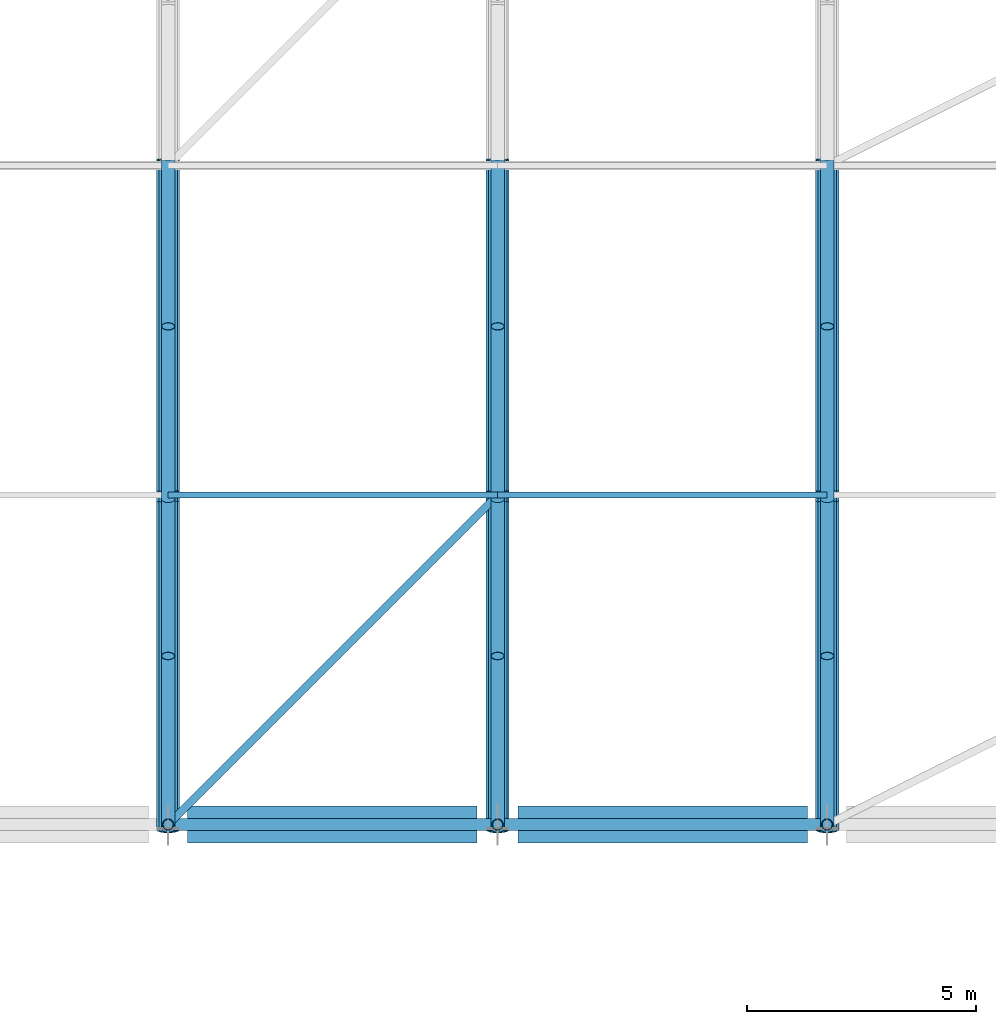
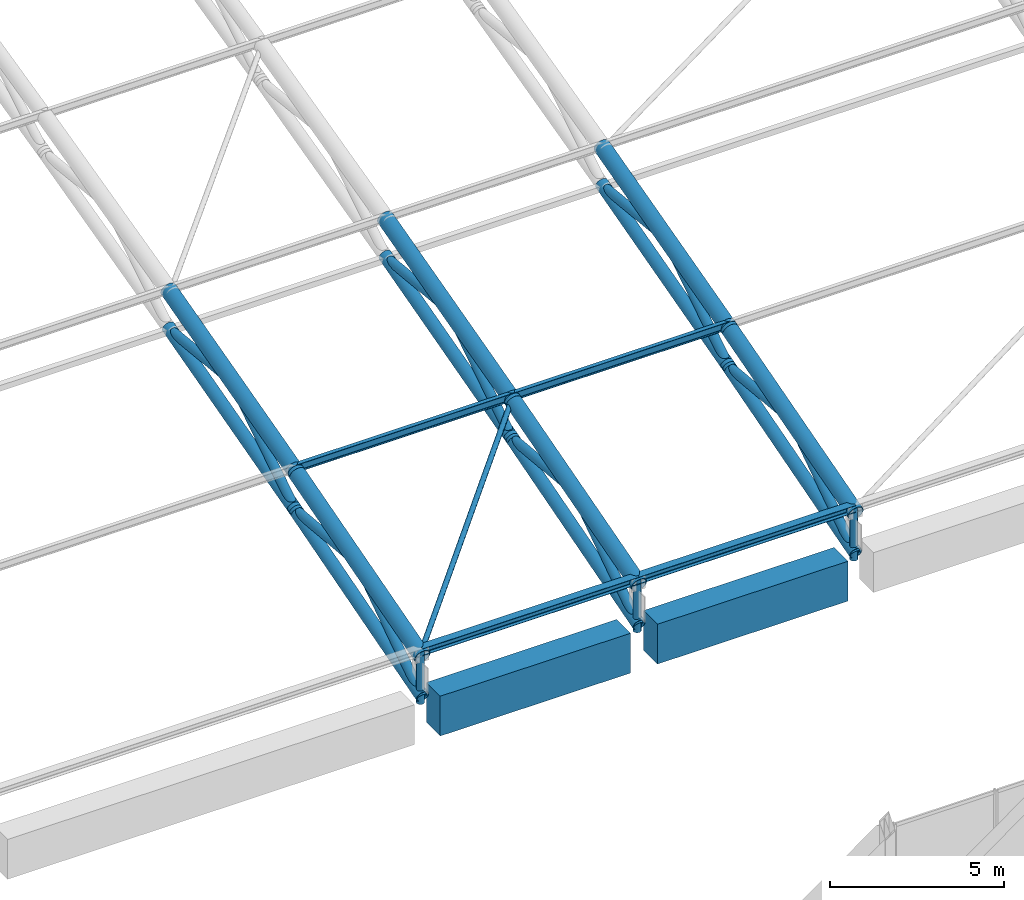
# One storey, part 33 of 193: 32 members, 2 beams.
"""IFC4 building model written with IfcOpenShell, lengths in metres."""

from ifc_helpers import new_model, si_unit, direction, frame, origin, origin_2d, place, context, subcontext, project, spatial, rectangle, hollow_circle, i_section, extrude, material, material_profile, profile_set, type_object, element, save


model = new_model("IFC4")

# Units and contexts
model_context = context("Model", 3, precision=1e-05, world=origin(), true_north=direction((0.0, 1.0)))
body_context = subcontext(model_context, "Body", "Model", "MODEL_VIEW")
ifc_project = project(units=[si_unit("LENGTHUNIT", "METRE"), si_unit("AREAUNIT", "SQUARE_METRE"), si_unit("VOLUMEUNIT", "CUBIC_METRE"), si_unit("PLANEANGLEUNIT", "RADIAN"), si_unit("MASSUNIT", "GRAM", prefix="KILO")], contexts=[model_context])

# Site, building, storey
site_placement = place(None, origin())
site = spatial("IfcSite", under=ifc_project, at=site_placement, CompositionType="ELEMENT")
building_placement = place(site_placement, origin())
building = spatial("IfcBuilding", under=site, at=building_placement, Name="Cendralis Lancet Convention Centre", CompositionType="ELEMENT")
storey_placement = place(building_placement, frame((0.0, 0.0, 10.199951171875)))
storey = spatial("IfcBuildingStorey", under=building, at=storey_placement, Name="L02", CompositionType="ELEMENT", Elevation=10.199951171875)

# Beams
ifc_material_1 = material(Name="Concrete G40 (C40/50)", Category="concrete")
ifc_material_profile_1 = material_profile(ifc_material_1, rectangle(XDim=0.800048828125, YDim=1.39990234375, at=origin_2d()), Name="RCB 800x1400")
ifc_profile_set_1 = profile_set([ifc_material_profile_1], Name="Concrete G40 (C40/50)")
beam_type = type_object("IfcBeamType", Name="STR-BM-BG17", PredefinedType="BEAM", material=ifc_profile_set_1)
for number, where, z_axis, x_axis, name in (
    (1, (65.22509765625, 50.39990234375, 1.5), (1.0, 0.0, 0.0), (0.0, 1.0, 0.0), "L02 Beam BG17 #1316"),
    (2, (72.449951171875, 50.39990234375, 1.5), (1.0, 0.0, 0.0), (0.0, 1.0, 0.0), "L02 Beam BG17 #1317"),
):
    element("IfcBeam", number, at=place(storey_placement, frame(where, z_axis=z_axis, x_axis=x_axis)), inside=storey, type_object=beam_type, Name=name, PredefinedType="BEAM", context=body_context, shape_type="SweptSolid", body=[
        extrude(rectangle(XDim=0.800048828125, YDim=1.39990234375, at=origin_2d()), origin(), (0.0, 0.0, 1.0), 6.324951171875),
    ])

# Members
ifc_material_2 = material(Name="Steel S355", Category="steel")
ifc_material_profile_2 = material_profile(ifc_material_2, hollow_circle(Radius=0.084228515625, WallThickness=0.008056640625, at=origin_2d()), Name="CHS 168.3x8.0")
ifc_profile_set_2 = profile_set([ifc_material_profile_2], Name="Steel S355")
member_type_1 = type_object("IfcMemberType", Name="STR-BR-RB01", PredefinedType="BRACE", material=ifc_profile_set_2)
member_1_placement = place(storey_placement, frame((64.800048828125, 50.39990234375, 3.60009765625), z_axis=(0.69309844049, 0.693121942522, 0.197981121789), x_axis=(-0.7071187694, 0.70709479277, 0.0)))
element("IfcMember", 3, at=member_1_placement, inside=storey, type_object=member_type_1, Name="Roof Diaphragm Brace RB01 V1-07-00A", PredefinedType="BRACE", context=body_context, shape_type="SweptSolid", body=[
    extrude(hollow_circle(Radius=0.084228515625, WallThickness=0.008056640625, at=origin_2d()), origin(), (0.0, 0.0, 1.0), 10.38818359375),
])
ifc_material_profile_3 = material_profile(ifc_material_2, i_section(OverallWidth=0.135009765625, OverallDepth=0.27001953125, WebThickness=0.006591796875, FlangeThickness=0.01025390625, FilletRadius=0.014892578125, at=origin_2d()), Name="IPE 270")
ifc_profile_set_3 = profile_set([ifc_material_profile_3], Name="Steel S355")
member_type_2 = type_object("IfcMemberType", Name="STR-PR-PR01", PredefinedType="PURLIN", material=ifc_profile_set_3)
for number, where, z_axis, x_axis, name in (
    (4, (64.800048828125, 57.60009765625, 5.771728515625), (1.0, 0.0, 0.0), (0.0, 1.0, 0.0), "Vault Roof Purlin PR01 V1-07-01"),
    (5, (72.0, 57.60009765625, 5.771728515625), (1.0, 0.0, 0.0), (0.0, 1.0, 0.0), "Vault Roof Purlin PR01 V1-08-01"),
):
    element("IfcMember", number, at=place(storey_placement, frame(where, z_axis=z_axis, x_axis=x_axis)), inside=storey, type_object=member_type_2, Name=name, PredefinedType="PURLIN", context=body_context, shape_type="SweptSolid", body=[
        extrude(i_section(OverallWidth=0.135009765625, OverallDepth=0.27001953125, WebThickness=0.006591796875, FlangeThickness=0.01025390625, FilletRadius=0.014892578125, at=origin_2d()), origin(), (0.0, 0.0, 1.0), 7.199951171875),
    ])
ifc_material_profile_4 = material_profile(ifc_material_2, i_section(OverallWidth=0.260009765625, OverallDepth=0.25, WebThickness=0.007568359375, FlangeThickness=0.012451171875, FilletRadius=0.02392578125, at=origin_2d()), Name="HEA 260")
ifc_profile_set_4 = profile_set([ifc_material_profile_4], Name="Steel S355")
member_type_3 = type_object("IfcMemberType", Name="STR-PR-PR07", PredefinedType="PURLIN", material=ifc_profile_set_4)
for number, where, z_axis, x_axis, name in (
    (6, (64.800048828125, 50.39990234375, 3.72509765625), (1.0, 0.0, 0.0), (0.0, 1.0, 0.0), "Vault Roof Purlin PR07 V1-07-00"),
    (7, (72.0, 50.39990234375, 3.72509765625), (1.0, 0.0, 0.0), (0.0, 1.0, 0.0), "Vault Roof Purlin PR07 V1-08-00"),
):
    element("IfcMember", number, at=place(storey_placement, frame(where, z_axis=z_axis, x_axis=x_axis)), inside=storey, type_object=member_type_3, Name=name, PredefinedType="PURLIN", context=body_context, shape_type="SweptSolid", body=[
        extrude(i_section(OverallWidth=0.260009765625, OverallDepth=0.25, WebThickness=0.007568359375, FlangeThickness=0.012451171875, FilletRadius=0.02392578125, at=origin_2d()), origin(), (0.0, 0.0, 1.0), 7.199951171875),
    ])
ifc_material_profile_5 = material_profile(ifc_material_2, hollow_circle(Radius=0.203125, WallThickness=0.01611328125, at=origin_2d()), Name="CHS 406.4x16.0")
ifc_profile_set_5 = profile_set([ifc_material_profile_5], Name="Steel S355")
member_type_4 = type_object("IfcMemberType", Name="STR-TR-BC01-INT", PredefinedType="CHORD", material=ifc_profile_set_5)
member_2_placement = place(storey_placement, frame((64.800048828125, 50.284912109375, 2.16650390625), z_axis=(0.0, 0.960208219649, 0.279285114028), x_axis=(-1.0, 0.0, 0.0)))
element("IfcMember", 8, at=member_2_placement, inside=storey, type_object=member_type_4, Name="ROOF TRUSS AT-V1-08 Bottom Chord 00", PredefinedType="CHORD", context=body_context, shape_type="SweptSolid", body=[
    extrude(hollow_circle(Radius=0.203125, WallThickness=0.01611328125, at=origin_2d()), origin(), (0.0, 0.0, 1.0), 7.738037109375),
])
member_3_placement = place(storey_placement, frame((64.800048828125, 57.484130859375, 4.262451171875), z_axis=(0.0, 0.964987331955, 0.262296490953), x_axis=(-1.0, 0.0, 0.0)))
element("IfcMember", 9, at=member_3_placement, inside=storey, type_object=member_type_4, Name="ROOF TRUSS AT-V1-08 Bottom Chord 01", PredefinedType="CHORD", context=body_context, shape_type="SweptSolid", body=[
    extrude(hollow_circle(Radius=0.203125, WallThickness=0.01611328125, at=origin_2d()), origin(), (0.0, 0.0, 1.0), 7.701171875),
])
member_4_placement = place(storey_placement, frame((72.0, 50.284912109375, 2.16650390625), z_axis=(0.0, 0.960208219649, 0.279285114028), x_axis=(-1.0, 0.0, 0.0)))
element("IfcMember", 10, at=member_4_placement, inside=storey, type_object=member_type_4, Name="ROOF TRUSS AT-V1-09 Bottom Chord 00", PredefinedType="CHORD", context=body_context, shape_type="SweptSolid", body=[
    extrude(hollow_circle(Radius=0.203125, WallThickness=0.01611328125, at=origin_2d()), origin(), (0.0, 0.0, 1.0), 7.738037109375),
])
member_5_placement = place(storey_placement, frame((72.0, 57.484130859375, 4.262451171875), z_axis=(0.0, 0.964987331955, 0.262296490953), x_axis=(-1.0, 0.0, 0.0)))
element("IfcMember", 11, at=member_5_placement, inside=storey, type_object=member_type_4, Name="ROOF TRUSS AT-V1-09 Bottom Chord 01", PredefinedType="CHORD", context=body_context, shape_type="SweptSolid", body=[
    extrude(hollow_circle(Radius=0.203125, WallThickness=0.01611328125, at=origin_2d()), origin(), (0.0, 0.0, 1.0), 7.701171875),
])
member_6_placement = place(storey_placement, frame((79.199951171875, 50.284912109375, 2.16650390625), z_axis=(0.0, 0.960208219649, 0.279285114028), x_axis=(-1.0, 0.0, 0.0)))
element("IfcMember", 12, at=member_6_placement, inside=storey, type_object=member_type_4, Name="ROOF TRUSS AT-V1-10 Bottom Chord 00", PredefinedType="CHORD", context=body_context, shape_type="SweptSolid", body=[
    extrude(hollow_circle(Radius=0.203125, WallThickness=0.01611328125, at=origin_2d()), origin(), (0.0, 0.0, 1.0), 7.738037109375),
])
member_7_placement = place(storey_placement, frame((79.199951171875, 57.484130859375, 4.262451171875), z_axis=(0.0, 0.964987331955, 0.262296490953), x_axis=(-1.0, 0.0, 0.0)))
element("IfcMember", 13, at=member_7_placement, inside=storey, type_object=member_type_4, Name="ROOF TRUSS AT-V1-10 Bottom Chord 01", PredefinedType="CHORD", context=body_context, shape_type="SweptSolid", body=[
    extrude(hollow_circle(Radius=0.203125, WallThickness=0.01611328125, at=origin_2d()), origin(), (0.0, 0.0, 1.0), 7.701171875),
])
ifc_material_profile_6 = material_profile(ifc_material_2, hollow_circle(Radius=0.25390625, WallThickness=0.02001953125, at=origin_2d()), Name="CHS 508.0x20.0")
ifc_profile_set_6 = profile_set([ifc_material_profile_6], Name="Steel S355")
member_type_5 = type_object("IfcMemberType", Name="STR-TR-TC01-INT", PredefinedType="CHORD", material=ifc_profile_set_6)
member_8_placement = place(storey_placement, frame((64.800048828125, 50.28466796875, 3.567138671875), z_axis=(0.0, 0.961540636093, 0.274662711598), x_axis=(-1.0, 0.0, 0.0)))
element("IfcMember", 14, at=member_8_placement, inside=storey, type_object=member_type_5, Name="ROOF TRUSS AT-V1-08 Top Chord 00", PredefinedType="CHORD", context=body_context, shape_type="SweptSolid", body=[
    extrude(hollow_circle(Radius=0.25390625, WallThickness=0.02001953125, at=origin_2d()), origin(), (0.0, 0.0, 1.0), 7.727783203125),
])
member_9_placement = place(storey_placement, frame((64.800048828125, 57.484130859375, 5.625732421875), z_axis=(0.0, 0.966247582415, 0.257615235337), x_axis=(-1.0, 0.0, 0.0)))
element("IfcMember", 15, at=member_9_placement, inside=storey, type_object=member_type_5, Name="ROOF TRUSS AT-V1-08 Top Chord 01", PredefinedType="CHORD", context=body_context, shape_type="SweptSolid", body=[
    extrude(hollow_circle(Radius=0.25390625, WallThickness=0.02001953125, at=origin_2d()), origin(), (0.0, 0.0, 1.0), 7.69140625),
])
member_10_placement = place(storey_placement, frame((72.0, 50.28466796875, 3.567138671875), z_axis=(0.0, 0.961540636093, 0.274662711598), x_axis=(-1.0, 0.0, 0.0)))
element("IfcMember", 16, at=member_10_placement, inside=storey, type_object=member_type_5, Name="ROOF TRUSS AT-V1-09 Top Chord 00", PredefinedType="CHORD", context=body_context, shape_type="SweptSolid", body=[
    extrude(hollow_circle(Radius=0.25390625, WallThickness=0.02001953125, at=origin_2d()), origin(), (0.0, 0.0, 1.0), 7.727783203125),
])
member_11_placement = place(storey_placement, frame((72.0, 57.484130859375, 5.625732421875), z_axis=(0.0, 0.966247582415, 0.257615235337), x_axis=(-1.0, 0.0, 0.0)))
element("IfcMember", 17, at=member_11_placement, inside=storey, type_object=member_type_5, Name="ROOF TRUSS AT-V1-09 Top Chord 01", PredefinedType="CHORD", context=body_context, shape_type="SweptSolid", body=[
    extrude(hollow_circle(Radius=0.25390625, WallThickness=0.02001953125, at=origin_2d()), origin(), (0.0, 0.0, 1.0), 7.69140625),
])
member_12_placement = place(storey_placement, frame((79.199951171875, 50.28466796875, 3.567138671875), z_axis=(0.0, 0.961540636093, 0.274662711598), x_axis=(-1.0, 0.0, 0.0)))
element("IfcMember", 18, at=member_12_placement, inside=storey, type_object=member_type_5, Name="ROOF TRUSS AT-V1-10 Top Chord 00", PredefinedType="CHORD", context=body_context, shape_type="SweptSolid", body=[
    extrude(hollow_circle(Radius=0.25390625, WallThickness=0.02001953125, at=origin_2d()), origin(), (0.0, 0.0, 1.0), 7.727783203125),
])
member_13_placement = place(storey_placement, frame((79.199951171875, 57.484130859375, 5.625732421875), z_axis=(0.0, 0.966247582415, 0.257615235337), x_axis=(-1.0, 0.0, 0.0)))
element("IfcMember", 19, at=member_13_placement, inside=storey, type_object=member_type_5, Name="ROOF TRUSS AT-V1-10 Top Chord 01", PredefinedType="CHORD", context=body_context, shape_type="SweptSolid", body=[
    extrude(hollow_circle(Radius=0.25390625, WallThickness=0.02001953125, at=origin_2d()), origin(), (0.0, 0.0, 1.0), 7.69140625),
])
ifc_material_profile_7 = material_profile(ifc_material_2, hollow_circle(Radius=0.149169921875, WallThickness=0.012451171875, at=origin_2d()), Name="CHS 298.5x12.5")
ifc_profile_set_7 = profile_set([ifc_material_profile_7], Name="Steel S355")
member_type_6 = type_object("IfcMemberType", Name="STR-TR-WD01-INT", PredefinedType="BRACE", material=ifc_profile_set_7)
member_14_placement = place(storey_placement, frame((64.800048828125, 50.317138671875, 2.14404296875), z_axis=(0.0, 0.829019978373, 0.559218987032), x_axis=(-1.0, 0.0, 0.0)))
element("IfcMember", 20, at=member_14_placement, inside=storey, type_object=member_type_6, Name="ROOF TRUSS AT-V1-08 Warren Web 00-0", PredefinedType="BRACE", context=body_context, shape_type="SweptSolid", body=[
    extrude(hollow_circle(Radius=0.149169921875, WallThickness=0.012451171875, at=origin_2d()), origin(), (0.0, 0.0, 1.0), 4.54248046875),
])
member_15_placement = place(storey_placement, frame((64.800048828125, 53.900390625, 4.6376953125), z_axis=(0.0, 0.995716709116, -0.092456666539), x_axis=(-1.0, 0.0, 0.0)))
element("IfcMember", 21, at=member_15_placement, inside=storey, type_object=member_type_6, Name="ROOF TRUSS AT-V1-08 Warren Web 00-1", PredefinedType="BRACE", context=body_context, shape_type="SweptSolid", body=[
    extrude(hollow_circle(Radius=0.149169921875, WallThickness=0.012451171875, at=origin_2d()), origin(), (0.0, 0.0, 1.0), 3.815673828125),
])
member_16_placement = place(storey_placement, frame((64.800048828125, 57.51611328125, 4.23974609375), z_axis=(0.0, 0.840291047389, 0.542135551018), x_axis=(-1.0, 0.0, 0.0)))
element("IfcMember", 22, at=member_16_placement, inside=storey, type_object=member_type_6, Name="ROOF TRUSS AT-V1-08 Warren Web 01-0", PredefinedType="BRACE", context=body_context, shape_type="SweptSolid", body=[
    extrude(hollow_circle(Radius=0.149169921875, WallThickness=0.012451171875, at=origin_2d()), origin(), (0.0, 0.0, 1.0), 4.48388671875),
])
member_17_placement = place(storey_placement, frame((64.800048828125, 61.1005859375, 6.626708984375), z_axis=(0.0, 0.99488409704, -0.101022935304), x_axis=(-1.0, 0.0, 0.0)))
element("IfcMember", 23, at=member_17_placement, inside=storey, type_object=member_type_6, Name="ROOF TRUSS AT-V1-08 Warren Web 01-1", PredefinedType="BRACE", context=body_context, shape_type="SweptSolid", body=[
    extrude(hollow_circle(Radius=0.149169921875, WallThickness=0.012451171875, at=origin_2d()), origin(), (0.0, 0.0, 1.0), 3.818359375),
])
member_18_placement = place(storey_placement, frame((72.0, 50.317138671875, 2.14404296875), z_axis=(0.0, 0.829019978373, 0.559218987032), x_axis=(-1.0, 0.0, 0.0)))
element("IfcMember", 24, at=member_18_placement, inside=storey, type_object=member_type_6, Name="ROOF TRUSS AT-V1-09 Warren Web 00-0", PredefinedType="BRACE", context=body_context, shape_type="SweptSolid", body=[
    extrude(hollow_circle(Radius=0.149169921875, WallThickness=0.012451171875, at=origin_2d()), origin(), (0.0, 0.0, 1.0), 4.54248046875),
])
member_19_placement = place(storey_placement, frame((72.0, 53.900390625, 4.6376953125), z_axis=(0.0, 0.995716709116, -0.092456666539), x_axis=(-1.0, 0.0, 0.0)))
element("IfcMember", 25, at=member_19_placement, inside=storey, type_object=member_type_6, Name="ROOF TRUSS AT-V1-09 Warren Web 00-1", PredefinedType="BRACE", context=body_context, shape_type="SweptSolid", body=[
    extrude(hollow_circle(Radius=0.149169921875, WallThickness=0.012451171875, at=origin_2d()), origin(), (0.0, 0.0, 1.0), 3.815673828125),
])
member_20_placement = place(storey_placement, frame((72.0, 57.51611328125, 4.23974609375), z_axis=(0.0, 0.840291047389, 0.542135551018), x_axis=(-1.0, 0.0, 0.0)))
element("IfcMember", 26, at=member_20_placement, inside=storey, type_object=member_type_6, Name="ROOF TRUSS AT-V1-09 Warren Web 01-0", PredefinedType="BRACE", context=body_context, shape_type="SweptSolid", body=[
    extrude(hollow_circle(Radius=0.149169921875, WallThickness=0.012451171875, at=origin_2d()), origin(), (0.0, 0.0, 1.0), 4.48388671875),
])
member_21_placement = place(storey_placement, frame((72.0, 61.1005859375, 6.626708984375), z_axis=(0.0, 0.99488409704, -0.101022935304), x_axis=(-1.0, 0.0, 0.0)))
element("IfcMember", 27, at=member_21_placement, inside=storey, type_object=member_type_6, Name="ROOF TRUSS AT-V1-09 Warren Web 01-1", PredefinedType="BRACE", context=body_context, shape_type="SweptSolid", body=[
    extrude(hollow_circle(Radius=0.149169921875, WallThickness=0.012451171875, at=origin_2d()), origin(), (0.0, 0.0, 1.0), 3.818359375),
])
member_22_placement = place(storey_placement, frame((79.199951171875, 50.317138671875, 2.14404296875), z_axis=(0.0, 0.829019978373, 0.559218987032), x_axis=(-1.0, 0.0, 0.0)))
element("IfcMember", 28, at=member_22_placement, inside=storey, type_object=member_type_6, Name="ROOF TRUSS AT-V1-10 Warren Web 00-0", PredefinedType="BRACE", context=body_context, shape_type="SweptSolid", body=[
    extrude(hollow_circle(Radius=0.149169921875, WallThickness=0.012451171875, at=origin_2d()), origin(), (0.0, 0.0, 1.0), 4.54248046875),
])
member_23_placement = place(storey_placement, frame((79.199951171875, 53.900390625, 4.6376953125), z_axis=(0.0, 0.995716709116, -0.092456666539), x_axis=(-1.0, 0.0, 0.0)))
element("IfcMember", 29, at=member_23_placement, inside=storey, type_object=member_type_6, Name="ROOF TRUSS AT-V1-10 Warren Web 00-1", PredefinedType="BRACE", context=body_context, shape_type="SweptSolid", body=[
    extrude(hollow_circle(Radius=0.149169921875, WallThickness=0.012451171875, at=origin_2d()), origin(), (0.0, 0.0, 1.0), 3.815673828125),
])
member_24_placement = place(storey_placement, frame((79.199951171875, 57.51611328125, 4.23974609375), z_axis=(0.0, 0.840291047389, 0.542135551018), x_axis=(-1.0, 0.0, 0.0)))
element("IfcMember", 30, at=member_24_placement, inside=storey, type_object=member_type_6, Name="ROOF TRUSS AT-V1-10 Warren Web 01-0", PredefinedType="BRACE", context=body_context, shape_type="SweptSolid", body=[
    extrude(hollow_circle(Radius=0.149169921875, WallThickness=0.012451171875, at=origin_2d()), origin(), (0.0, 0.0, 1.0), 4.48388671875),
])
member_25_placement = place(storey_placement, frame((79.199951171875, 61.1005859375, 6.626708984375), z_axis=(0.0, 0.99488409704, -0.101022935304), x_axis=(-1.0, 0.0, 0.0)))
element("IfcMember", 31, at=member_25_placement, inside=storey, type_object=member_type_6, Name="ROOF TRUSS AT-V1-10 Warren Web 01-1", PredefinedType="BRACE", context=body_context, shape_type="SweptSolid", body=[
    extrude(hollow_circle(Radius=0.149169921875, WallThickness=0.012451171875, at=origin_2d()), origin(), (0.0, 0.0, 1.0), 3.818359375),
])
ifc_material_profile_8 = material_profile(ifc_material_2, hollow_circle(Radius=0.122314453125, WallThickness=0.010009765625, at=origin_2d()), Name="CHS 244.5x10.0")
ifc_profile_set_8 = profile_set([ifc_material_profile_8], Name="Steel S355")
member_type_7 = type_object("IfcMemberType", Name="STR-TR-WV01-INT", PredefinedType="POST", material=ifc_profile_set_8)
for number, where, z_axis, x_axis, name in (
    (32, (64.800048828125, 50.39990234375, 1.900146484375), (0.0, 0.0, 1.0), (1.0, 0.0, 0.0), "ROOF TRUSS AT-V1-08 Springing Post N00"),
    (33, (72.0, 50.39990234375, 1.900146484375), (0.0, 0.0, 1.0), (1.0, 0.0, 0.0), "ROOF TRUSS AT-V1-09 Springing Post N00"),
    (34, (79.199951171875, 50.39990234375, 1.900146484375), (0.0, 0.0, 1.0), (1.0, 0.0, 0.0), "ROOF TRUSS AT-V1-10 Springing Post N00"),
):
    element("IfcMember", number, at=place(storey_placement, frame(where, z_axis=z_axis, x_axis=x_axis)), inside=storey, type_object=member_type_7, Name=name, PredefinedType="POST", context=body_context, shape_type="SweptSolid", body=[
        extrude(hollow_circle(Radius=0.122314453125, WallThickness=0.010009765625, at=origin_2d()), origin(), (0.0, 0.0, 1.0), 1.919921875),
    ])

save(model, "model.ifc")
